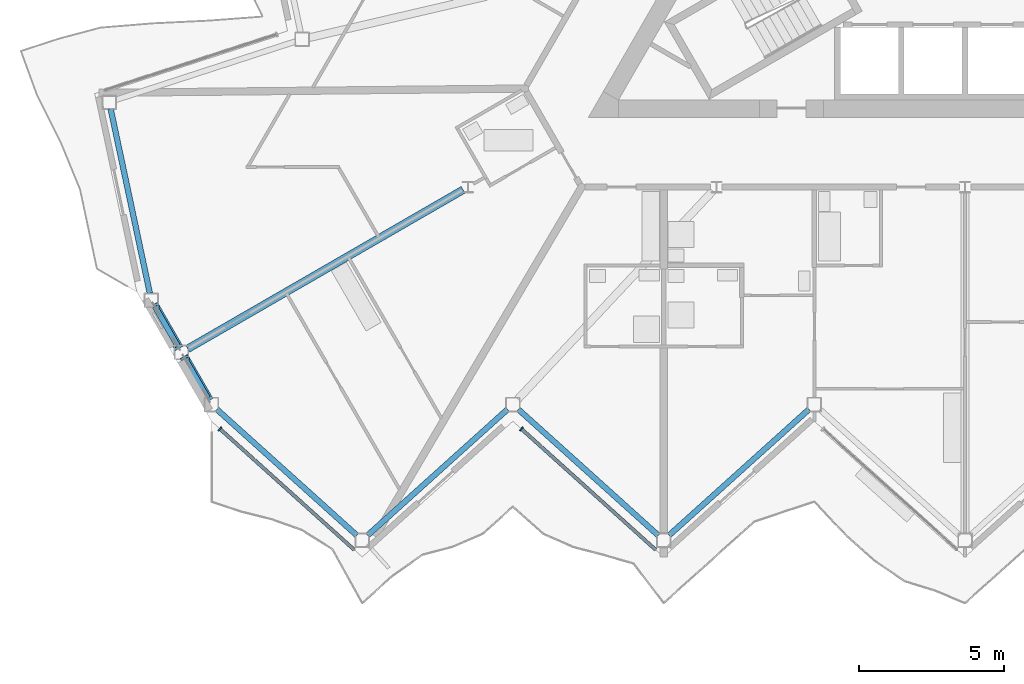
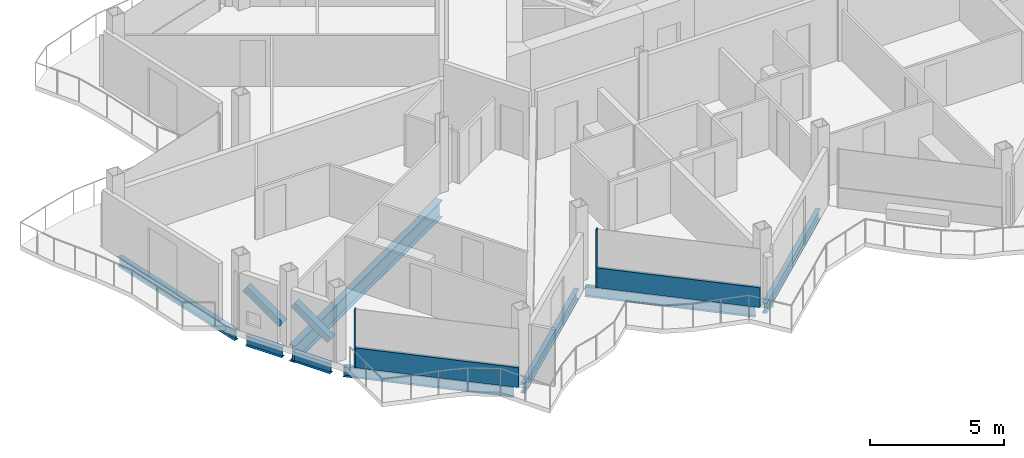
# One storey, part 4 of 26: 8 beams, 6 members, 2 elements without a shape of their own.
"""IFC4 building model written with IfcOpenShell, lengths in metres."""

from ifc_helpers import new_model, si_unit, direction, frame, origin, origin_2d, place, context, subcontext, project, spatial, rectangle, hollow_rectangle, i_section, extrude, material, layer, layer_set, material_profile, profile_set, type_object, element, aggregate, save


model = new_model("IFC4")

# Units and contexts
model_context = context("Model", 3, precision=1e-05, world=origin(), true_north=direction((0.0, 1.0)))
body_context = subcontext(model_context, "Body", "Model", "MODEL_VIEW")
ifc_project = project(units=[si_unit("LENGTHUNIT", "METRE"), si_unit("AREAUNIT", "SQUARE_METRE"), si_unit("VOLUMEUNIT", "CUBIC_METRE"), si_unit("PLANEANGLEUNIT", "RADIAN"), si_unit("MASSUNIT", "GRAM", prefix="KILO")], contexts=[model_context])

# Site, building, storey
site_placement = place(None, origin())
site = spatial("IfcSite", under=ifc_project, at=site_placement, CompositionType="ELEMENT")
building_placement = place(site_placement, origin())
building = spatial("IfcBuilding", under=site, at=building_placement, Name="Cormorant Prow Tower", CompositionType="ELEMENT")
storey_placement = place(building_placement, frame((0.0, 0.0, 374.60009765625)))
storey = spatial("IfcBuildingStorey", under=building, at=storey_placement, Name="L84", CompositionType="ELEMENT", Elevation=374.60009765625)

# Members
ifc_material_1 = material(Name="Structural steel ASTM A500 Gr C", Category="steel")
ifc_material_profile_1 = material_profile(ifc_material_1, hollow_rectangle(XDim=0.3046875, YDim=0.3046875, WallThickness=0.01171875, at=origin_2d()), Name="HSS12x12x1/2")
ifc_profile_set_1 = profile_set([ifc_material_profile_1], Name="Structural steel ASTM A500 Gr C")
member_type_1 = type_object("IfcMemberType", Name="Chamfer brace HSS12x12x1/2", PredefinedType="BRACE", material=ifc_profile_set_1)
member_1_placement = place(storey_placement, frame((-27.160400390625, -15.39599609375, 0.7705078125), z_axis=(-0.411230183851, 0.712282194217, 0.568809117095), x_axis=(-0.866028632512, -0.499994407638, 0.0)))
element("IfcMember", 1, at=member_1_placement, inside=storey, type_object=member_type_1, Name="Chamfer brace BR3 at WSW00 L84", PredefinedType="BRACE", context=body_context, shape_type="SweptSolid", body=[
    extrude(hollow_rectangle(XDim=0.3046875, YDim=0.3046875, WallThickness=0.01171875, at=origin_2d()), origin(), (0.0, 0.0, 1.0), 1.921142578125),
])
member_2_placement = place(storey_placement, frame((-26.123291015625, -17.192138671875, 0.7705078125), z_axis=(-0.411298537745, 0.71230756954, 0.568727913175), x_axis=(-0.866000359435, -0.500043375578, 0.0)))
element("IfcMember", 2, at=member_2_placement, inside=storey, type_object=member_type_1, Name="Chamfer brace BR3 at WSW01 L84", PredefinedType="BRACE", context=body_context, shape_type="SweptSolid", body=[
    extrude(hollow_rectangle(XDim=0.3046875, YDim=0.3046875, WallThickness=0.01171875, at=origin_2d()), origin(), (0.0, 0.0, 1.0), 1.92138671875),
])

# Beam
ifc_material_2 = material(Name="Structural steel ASTM A992 Gr 50", Category="steel")
ifc_material_profile_2 = material_profile(ifc_material_2, i_section(OverallWidth=0.267822265625, OverallDepth=0.77001953125, WebThickness=0.015625, FlangeThickness=0.025390625, at=origin_2d()), Name="W30x132")
ifc_profile_set_2 = profile_set([ifc_material_profile_2], Name="Structural steel ASTM A992 Gr 50")
beam_type_1 = type_object("IfcBeamType", Name="Radial floor beam W30x132", PredefinedType="BEAM", material=ifc_profile_set_2)
beam_1_placement = place(storey_placement, frame((-17.31884765625, -9.9990234375, -0.68505859375), z_axis=(-0.866018830095, -0.500011385791, 0.0), x_axis=(0.500011385791, -0.866018830095, 0.0)))
element("IfcBeam", 3, at=beam_1_placement, inside=storey, type_object=beam_type_1, Name="Radial floor beam FB3 5 L84", PredefinedType="BEAM", context=body_context, shape_type="SweptSolid", body=[
    extrude(i_section(OverallWidth=0.267822265625, OverallDepth=0.77001953125, WebThickness=0.015625, FlangeThickness=0.025390625, at=origin_2d()), origin(), (0.0, 0.0, 1.0), 10.971435546875),
])

# Curtain wall, member
ifc_material_3 = material(Name="Aluminium 6063-T6", Category="aluminium")
ifc_layer = layer(ifc_material_3, 0.159912109375)
ifc_layer_set = layer_set([ifc_layer], Name="Aluminium 6063-T6")
curtain_wall_type = type_object("IfcCurtainWallType", Name="Residential unitised curtain wall 160", PredefinedType="NOTDEFINED", material=ifc_layer_set)
curtain_wall_1_placement = place(storey_placement, origin())
curtain_wall_1 = element("IfcCurtainWall", 4, at=curtain_wall_1_placement, inside=storey, type_object=curtain_wall_type, Name="Residential curtain wall S00", PredefinedType="NOTDEFINED")
ifc_material_4 = material(Name="Aluminium 6063-T6", Category="aluminium")
ifc_material_profile_3 = material_profile(ifc_material_4, rectangle(XDim=0.159912109375, YDim=0.050048828125, at=origin_2d()), Name="Residential mullion 50x160")
ifc_profile_set_3 = profile_set([ifc_material_profile_3], Name="Aluminium 6063-T6")
member_type_2 = type_object("IfcMemberType", Name="Residential mullion 50x160", PredefinedType="MULLION", material=ifc_profile_set_3)
member_3_placement = place(storey_placement, frame((-25.70947265625, -18.2451171875, 0.0), z_axis=(0.0, 0.0, 1.0), x_axis=(0.669130603959, 0.743144827638, 0.0)))
member_3 = element("IfcMember", 5, at=member_3_placement, type_object=member_type_2, Name="Residential mullion S00", PredefinedType="MULLION", context=body_context, shape_type="SweptSolid", body=[
    extrude(rectangle(XDim=0.159912109375, YDim=0.050048828125, at=origin_2d()), origin(), (0.0, 0.0, 1.0), 2.6337890625),
])

curtain_wall_2_placement = place(storey_placement, origin())
curtain_wall_2 = element("IfcCurtainWall", 6, at=curtain_wall_2_placement, inside=storey, type_object=curtain_wall_type, Name="Residential curtain wall S02", PredefinedType="NOTDEFINED")
member_4_placement = place(storey_placement, frame((-15.309326171875, -18.2451171875, 0.0), z_axis=(0.0, 0.0, 1.0), x_axis=(0.669130603959, 0.743144827638, 0.0)))
member_4 = element("IfcMember", 7, at=member_4_placement, type_object=member_type_2, Name="Residential mullion S02", PredefinedType="MULLION", context=body_context, shape_type="SweptSolid", body=[
    extrude(rectangle(XDim=0.159912109375, YDim=0.050048828125, at=origin_2d()), origin(), (0.0, 0.0, 1.0), 2.6337890625),
])

# Member
ifc_material_5 = material(Name="Terracotta", Category="masonry")
ifc_material_profile_4 = material_profile(ifc_material_5, rectangle(XDim=0.1201171875, YDim=0.89990234375, at=origin_2d()), Name="Residential terracotta spandrel rail 120x900")
ifc_profile_set_4 = profile_set([ifc_material_profile_4], Name="Terracotta")
member_type_3 = type_object("IfcMemberType", Name="Residential terracotta spandrel rail 120x900", PredefinedType="USERDEFINED", material=ifc_profile_set_4)
member_5_placement = place(storey_placement, frame((-25.69091796875, -18.261962890625, 0.449951171875), z_axis=(0.743159360055, -0.669114463723, 0.0), x_axis=(0.669114463723, 0.743159360055, 0.0)))
member_5 = element("IfcMember", 8, at=member_5_placement, type_object=member_type_3, Name="Residential spandrel rail S00", ObjectType="TRANSOM", PredefinedType="USERDEFINED", context=body_context, shape_type="SweptSolid", body=[
    extrude(rectangle(XDim=0.1201171875, YDim=0.89990234375, at=origin_2d()), origin(), (0.0, 0.0, 1.0), 6.21533203125),
])

aggregate(curtain_wall_1, [member_3, member_5])

member_6_placement = place(storey_placement, frame((-15.290771484375, -18.261962890625, 0.449951171875), z_axis=(0.743159360055, -0.669114463723, 0.0), x_axis=(0.669114463723, 0.743159360055, 0.0)))
member_6 = element("IfcMember", 9, at=member_6_placement, type_object=member_type_3, Name="Residential spandrel rail S02", ObjectType="TRANSOM", PredefinedType="USERDEFINED", context=body_context, shape_type="SweptSolid", body=[
    extrude(rectangle(XDim=0.1201171875, YDim=0.89990234375, at=origin_2d()), origin(), (0.0, 0.0, 1.0), 6.21533203125),
])

aggregate(curtain_wall_2, [member_4, member_6])

# Beams
ifc_material_6 = material(Name="Structural steel ASTM A992 Gr 50", Category="steel")
ifc_material_profile_5 = material_profile(ifc_material_6, i_section(OverallWidth=0.19287109375, OverallDepth=0.466064453125, WebThickness=0.011474609375, FlangeThickness=0.01904296875, at=origin_2d()), Name="W18x65")
ifc_profile_set_5 = profile_set([ifc_material_profile_5], Name="Structural steel ASTM A992 Gr 50")
beam_type_2 = type_object("IfcBeamType", Name="Spandrel beam W18x65", PredefinedType="SPANDREL", material=ifc_profile_set_5)
for number, where, z_axis, x_axis, name in (
    (10, (-25.814208984375, -17.572998046875, -0.533203125), (0.743131573737, -0.669145323614, 0.0), (0.669145323614, 0.743131573737, 0.0), "Spandrel beam SB4 S00-S01 L84"),
    (11, (-20.6142578125, -21.920654296875, -0.533203125), (0.743131573737, 0.669145323614, 0.0), (-0.669145323614, 0.743131573737, 0.0), "Spandrel beam SB4 S01-S02 L84"),
):
    element("IfcBeam", number, at=place(storey_placement, frame(where, z_axis=z_axis, x_axis=x_axis)), inside=storey, type_object=beam_type_2, Name=name, PredefinedType="SPANDREL", context=body_context, shape_type="SweptSolid", body=[
        extrude(i_section(OverallWidth=0.19287109375, OverallDepth=0.466064453125, WebThickness=0.011474609375, FlangeThickness=0.01904296875, at=origin_2d()), origin(), (0.0, 0.0, 1.0), 6.497314453125),
    ])
beam_2_placement = place(storey_placement, frame((-15.414306640625, -17.572998046875, -0.533203125), z_axis=(0.743148397689, -0.669126638995, 0.0), x_axis=(0.669126638995, 0.743148397689, 0.0)))
element("IfcBeam", 12, at=beam_2_placement, inside=storey, type_object=beam_type_2, Name="Spandrel beam SB4 S02-S03 L84", PredefinedType="SPANDREL", context=body_context, shape_type="SweptSolid", body=[
    extrude(i_section(OverallWidth=0.19287109375, OverallDepth=0.466064453125, WebThickness=0.011474609375, FlangeThickness=0.01904296875, at=origin_2d()), origin(), (0.0, 0.0, 1.0), 6.49755859375),
])
beam_3_placement = place(storey_placement, frame((-10.214111328125, -21.920654296875, -0.533203125), z_axis=(0.743131573737, 0.669145323614, 0.0), x_axis=(-0.669145323614, 0.743131573737, 0.0)))
element("IfcBeam", 13, at=beam_3_placement, inside=storey, type_object=beam_type_2, Name="Spandrel beam SB4 S03-S04 L84", PredefinedType="SPANDREL", context=body_context, shape_type="SweptSolid", body=[
    extrude(i_section(OverallWidth=0.19287109375, OverallDepth=0.466064453125, WebThickness=0.011474609375, FlangeThickness=0.01904296875, at=origin_2d()), origin(), (0.0, 0.0, 1.0), 6.497314453125),
])
beam_4_placement = place(storey_placement, frame((-29.4765625, -7.2138671875, -0.533203125), z_axis=(0.207901897373, -0.978149682344, 0.0), x_axis=(0.978149682344, 0.207901897373, 0.0)))
element("IfcBeam", 14, at=beam_4_placement, inside=storey, type_object=beam_type_2, Name="Spandrel beam SB4 WNW09-WSW00 L84", PredefinedType="SPANDREL", context=body_context, shape_type="SweptSolid", body=[
    extrude(i_section(OverallWidth=0.19287109375, OverallDepth=0.466064453125, WebThickness=0.011474609375, FlangeThickness=0.01904296875, at=origin_2d()), origin(), (0.0, 0.0, 1.0), 6.49755859375),
])
for number, where, z_axis, x_axis, name in (
    (15, (-27.94873046875, -14.0302734375, -0.533203125), (0.499959680857, -0.866048680801, 0.0), (0.866048680801, 0.499959680857, 0.0), "Spandrel beam SB4 WSW00-WSW01 L84"),
    (16, (-26.911865234375, -15.826171875, -0.533203125), (0.499959680857, -0.866048680801, 0.0), (0.866048680801, 0.499959680857, 0.0), "Spandrel beam SB4 WSW01-S00 L84"),
):
    element("IfcBeam", number, at=place(storey_placement, frame(where, z_axis=z_axis, x_axis=x_axis)), inside=storey, type_object=beam_type_2, Name=name, PredefinedType="SPANDREL", context=body_context, shape_type="SweptSolid", body=[
        extrude(i_section(OverallWidth=0.19287109375, OverallDepth=0.466064453125, WebThickness=0.011474609375, FlangeThickness=0.01904296875, at=origin_2d()), origin(), (0.0, 0.0, 1.0), 1.573974609375),
    ])

save(model, "model.ifc")
